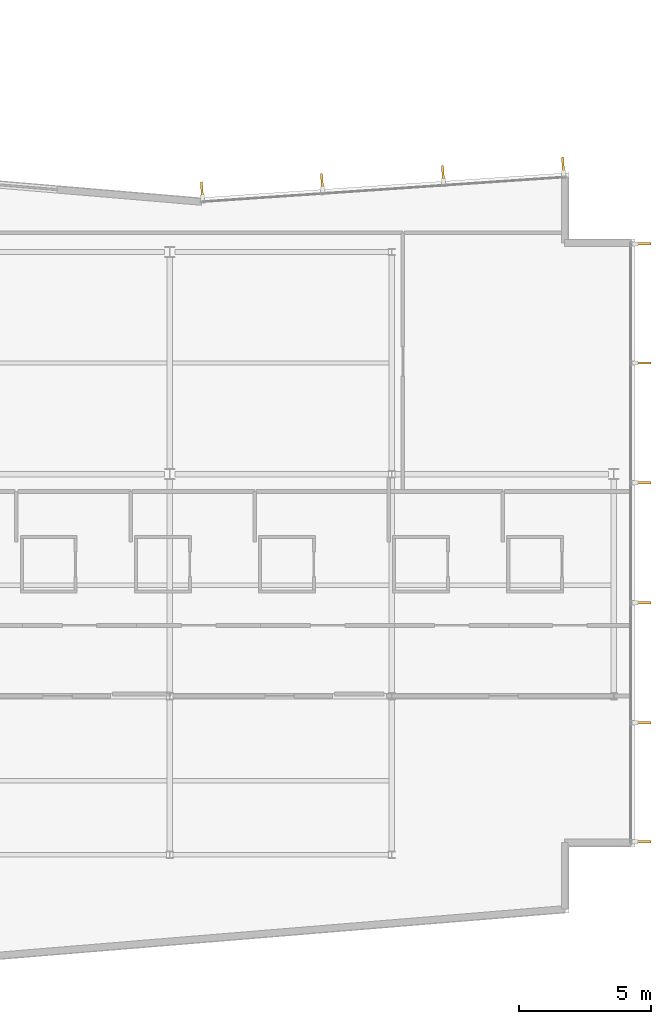
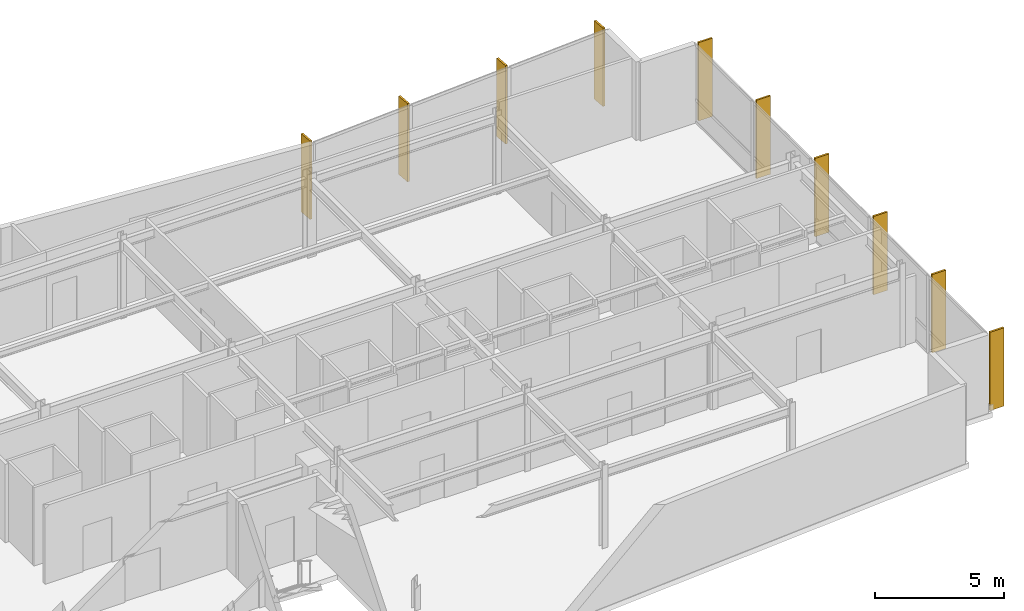
# One storey, part 16 of 17: 10 shading devices.
"""IFC4 building model written with IfcOpenShell, lengths in metres."""

import ifcopenshell
import ifcopenshell.guid

model = None  # the IFC model being written
_history = None  # IfcOwnerHistory: only IFC2X3 demands one
_inside = {}  # id of a spatial element -> (the spatial element, [elements in it])
_under = {}  # id of a project, library or spatial element -> (it, [spatial elements below it])
_declared = {}  # id of a project -> (the project, [libraries it declares])
_typed = {}  # id of a type object -> (the type object, [elements of that type])
_made_of = {}  # id of a material, layer set ... -> (it, [elements and type objects made of it])


def new_model(schema):
    """Start an empty IFC model of exactly this schema.

    Asked for "IFC4X3", IfcOpenShell would pick the latest addendum, in which some entities
    have other attributes; the version numbers below select the first issue.
    IFC2X3 requires an IfcOwnerHistory on every rooted entity: one is made here for all.
    """
    global model, _history
    if schema == "IFC4X3":
        model = ifcopenshell.file(schema_version=(4, 3, 0, 0))
    else:
        model = ifcopenshell.file(schema=schema)
    _inside.clear()
    _under.clear()
    _declared.clear()
    _typed.clear()
    _made_of.clear()
    _history = None
    if model.schema == "IFC2X3":
        org = make("IfcOrganization", Name="unknown")
        user = make(
            "IfcPersonAndOrganization",
            ThePerson=make("IfcPerson", FamilyName="unknown"),
            TheOrganization=org,
        )
        app = make(
            "IfcApplication",
            ApplicationDeveloper=org,
            Version="unknown",
            ApplicationFullName="unknown",
            ApplicationIdentifier="unknown",
        )
        _history = make(
            "IfcOwnerHistory",
            OwningUser=user,
            OwningApplication=app,
            ChangeAction="ADDED",
            CreationDate=0,
        )
    return model


def make(cls, **values):
    """One entity of the class cls with the attributes given. An attribute that is None is left unset."""
    return model.create_entity(
        cls, **{name: value for name, value in values.items() if value is not None}
    )


def rooted(cls, **values):
    """An entity with a GlobalId (a new one), such as an element, a storey or a relation."""
    return make(cls, GlobalId=ifcopenshell.guid.new(), OwnerHistory=_history, **values)


def si_unit(unit_type, name, prefix=None):
    """IfcSIUnit, for example si_unit("LENGTHUNIT", "METRE", prefix="MILLI")."""
    return make("IfcSIUnit", UnitType=unit_type, Prefix=prefix, Name=name)


def assignment(units):
    """IfcUnitAssignment: the units of a project."""
    return None if units is None else make("IfcUnitAssignment", Units=units)


def point(xyz):
    """IfcCartesianPoint."""
    return None if xyz is None else make("IfcCartesianPoint", Coordinates=xyz)


def direction(xyz):
    """IfcDirection."""
    return None if xyz is None else make("IfcDirection", DirectionRatios=xyz)


def frame(location, z_axis=None, x_axis=None):
    """IfcAxis2Placement3D, a coordinate frame: its origin and axes. An axis left out is left unset."""
    return make(
        "IfcAxis2Placement3D",
        Location=point(location),
        Axis=direction(z_axis),
        RefDirection=direction(x_axis),
    )


def frame_2d(location, x_axis=None):
    """IfcAxis2Placement2D, a coordinate frame in the plane: its origin and x axis."""
    return make(
        "IfcAxis2Placement2D", Location=point(location), RefDirection=direction(x_axis)
    )


def origin():
    """The frame at (0, 0, 0) with its axes left unset."""
    return frame((0.0, 0.0, 0.0))


def origin_2d():
    """The frame at (0, 0) in the plane with its x axis left unset."""
    return frame_2d((0.0, 0.0))


def place(relative_to, where):
    """IfcLocalPlacement: puts the frame where relative to a parent placement (None: the world)."""
    return make(
        "IfcLocalPlacement", PlacementRelTo=relative_to, RelativePlacement=where
    )


def context(
    kind, dimensions, precision=None, world=None, true_north=None, identifier=None
):
    """IfcGeometricRepresentationContext, for example the 3D "Model" context."""
    return make(
        "IfcGeometricRepresentationContext",
        ContextIdentifier=identifier,
        ContextType=kind,
        CoordinateSpaceDimension=dimensions,
        Precision=precision,
        WorldCoordinateSystem=world,
        TrueNorth=true_north,
    )


def subcontext(parent, identifier, kind, view, scale=None):
    """IfcGeometricRepresentationSubContext, for example "Body" below "Model"."""
    return make(
        "IfcGeometricRepresentationSubContext",
        ContextIdentifier=identifier,
        ContextType=kind,
        ParentContext=parent,
        TargetScale=scale,
        TargetView=view,
    )


def project(units=None, contexts=None):
    """IfcProject with its units and contexts."""
    return rooted(
        "IfcProject",
        Name="project",
        RepresentationContexts=contexts,
        UnitsInContext=assignment(units),
    )


def spatial(cls, under=None, at=None, **own):
    """A site, building, storey or space (cls), placed at a placement, below another one or the project."""
    s = rooted(cls, ObjectPlacement=at, **own)
    if under is not None:
        _under.setdefault(under.id(), (under, []))[1].append(s)
    return s


def profile(cls, at=None, kind="AREA", **sizes):
    """A parametric profile (cls). Its sizes go by their IFC names, for example OverallWidth=200.0."""
    return make(cls, ProfileType=kind, Position=at, **sizes)


def rectangle(**sizes):
    """IfcRectangleProfileDef."""
    return profile("IfcRectangleProfileDef", **sizes)


def extrude(swept, where, along, depth):
    """IfcExtrudedAreaSolid: the profile swept, set in the frame where, extruded along a direction by depth."""
    return make(
        "IfcExtrudedAreaSolid",
        SweptArea=swept,
        Position=where,
        ExtrudedDirection=direction(along),
        Depth=depth,
    )


def shape(context_of_items, identifier, shape_type, items):
    """IfcShapeRepresentation: the items that make up one representation, for example the "Body"."""
    return make(
        "IfcShapeRepresentation",
        ContextOfItems=context_of_items,
        RepresentationIdentifier=identifier,
        RepresentationType=shape_type,
        Items=items,
    )


def material(Name=None, Category=None):
    """IfcMaterial."""
    return make("IfcMaterial", Name=Name, Category=Category)


def layer(
    of_material, thickness, ventilated=None, Name=None, Category=None, Priority=None
):
    """IfcMaterialLayer: one layer of a wall or slab, of a material (None: an air gap)."""
    return make(
        "IfcMaterialLayer",
        Material=of_material,
        LayerThickness=thickness,
        IsVentilated=ventilated,
        Name=Name,
        Category=Category,
        Priority=Priority,
    )


def layer_set(layers, Name=None):
    """IfcMaterialLayerSet."""
    return make("IfcMaterialLayerSet", MaterialLayers=layers, LayerSetName=Name)


def made_of(thing, what):
    """Note that an element or type object is made of a material, layer set ...; save() writes the relation."""
    if what is not None:
        _made_of.setdefault(what.id(), (what, []))[1].append(thing)
    return thing


def type_object(cls, material=None, **own):
    """A type object (cls), such as IfcWallType, which elements share."""
    return made_of(rooted(cls, **own), material)


def element(
    cls,
    number,
    at=None,
    inside=None,
    cuts=None,
    type_object=None,
    material=None,
    context=None,
    identifier="Body",
    shape_type=None,
    held_by="IfcProductDefinitionShape",
    body=None,
    shapes=None,
    **own,
):
    """One element of the class cls, such as IfcWall. Its Tag is "e" and its number.

    at: its placement. inside: the storey or other place that contains it. cuts: it is an
    opening in that element (IfcRelVoidsElement). A single representation is given by context,
    identifier, shape_type and body (its items); several are given by shapes. held_by: the class
    of the entity that holds the representations. save() writes the other relations.
    """
    e = rooted(cls, Tag="e%d" % number, ObjectPlacement=at, **own)
    if body is not None:
        shapes = [shape(context, identifier, shape_type, body)]
    if shapes is not None:
        e.Representation = make(held_by, Representations=shapes)
    if inside is not None:
        _inside.setdefault(inside.id(), (inside, []))[1].append(e)
    if cuts is not None:
        rooted(
            "IfcRelVoidsElement", RelatingBuildingElement=cuts, RelatedOpeningElement=e
        )
    if type_object is not None:
        _typed.setdefault(type_object.id(), (type_object, []))[1].append(e)
    return made_of(e, material)


def aggregate(whole, parts):
    """IfcRelAggregates: a whole, such as a stair, and the parts it consists of."""
    return rooted("IfcRelAggregates", RelatingObject=whole, RelatedObjects=parts)


def save(model, path):
    """Write the relations noted so far, then the file.

    IfcRelAggregates (storeys below a building ...), IfcRelContainedInSpatialStructure (elements
    in a storey), IfcRelDefinesByType, IfcRelAssociatesMaterial and IfcRelDeclares: one each for
    every whole, place, type object, material and project.
    """
    for whole, parts in _under.values():
        aggregate(whole, parts)
    for where, things in _inside.values():
        rooted(
            "IfcRelContainedInSpatialStructure",
            RelatedElements=things,
            RelatingStructure=where,
        )
    for kind, things in _typed.values():
        rooted("IfcRelDefinesByType", RelatedObjects=things, RelatingType=kind)
    for what, things in _made_of.values():
        rooted("IfcRelAssociatesMaterial", RelatedObjects=things, RelatingMaterial=what)
    for by, libraries in _declared.values():
        rooted("IfcRelDeclares", RelatingContext=by, RelatedDefinitions=libraries)
    model.write(path)


model = new_model("IFC4")

# Units and contexts
model_context = context("Model", 3, precision=1e-05, world=origin(), true_north=direction((0.0, 1.0)))
body_context = subcontext(model_context, "Body", "Model", "MODEL_VIEW")
ifc_project = project(units=[si_unit("LENGTHUNIT", "METRE"), si_unit("AREAUNIT", "SQUARE_METRE"), si_unit("VOLUMEUNIT", "CUBIC_METRE"), si_unit("PLANEANGLEUNIT", "RADIAN"), si_unit("MASSUNIT", "GRAM", prefix="KILO")], contexts=[model_context])

# Site, building, storey
site_placement = place(None, origin())
site = spatial("IfcSite", under=ifc_project, at=site_placement, CompositionType="ELEMENT")
building_placement = place(site_placement, origin())
building = spatial("IfcBuilding", under=site, at=building_placement, Name="Varnakote Quay Hospital", CompositionType="ELEMENT")
storey_placement = place(building_placement, frame((0.0, 0.0, 227.64990234375)))
storey = spatial("IfcBuildingStorey", under=building, at=storey_placement, Name="L56", CompositionType="ELEMENT", Elevation=227.64990234375)

# Shading devices
ifc_material = material(Name="Anodised aluminium 6063-T6 Bronze", Category="aluminium")
ifc_layer = layer(ifc_material, 0.0849609375)
ifc_layer_set = layer_set([ifc_layer], Name="Anodised aluminium 6063-T6 Bronze")
shading_device_type = type_object("IfcShadingDeviceType", Name="SHD-BRONZE-FIN-620", PredefinedType="USERDEFINED", material=ifc_layer_set)
for number, where, z_axis, x_axis, name in (
    (1, (51.489990234375, 6.492431640625, 0.0), (0.0, 0.0, 1.0), (-1.0, 0.0, 0.0), "L56 Anodised Bronze Vertical Shading FIN"),
    (2, (51.489990234375, 10.99609375, 0.0), (0.0, 0.0, 1.0), (-1.0, 0.0, 0.0), "L56 Anodised Bronze Vertical Shading FIN"),
    (3, (51.489990234375, 15.531982421875, 0.0), (0.0, 0.0, 1.0), (-1.0, 0.0, 0.0), "L56 Anodised Bronze Vertical Shading FIN"),
    (4, (51.489990234375, 20.068115234375, 0.0), (0.0, 0.0, 1.0), (-1.0, 0.0, 0.0), "L56 Anodised Bronze Vertical Shading FIN"),
    (5, (51.489990234375, 24.60400390625, 0.0), (0.0, 0.0, 1.0), (-1.0, 0.0, 0.0), "L56 Anodised Bronze Vertical Shading FIN"),
    (6, (51.489990234375, 29.107421875, 0.0), (0.0, 0.0, 1.0), (-1.0, 0.0, 0.0), "L56 Anodised Bronze Vertical Shading FIN"),
    (7, (48.47705078125, 32.07568359375, 0.0), (0.0, 0.0, 1.0), (0.067841160875, -0.997696134548, 0.0), "L56 Anodised Bronze Vertical Shading FIN"),
    (8, (43.934326171875, 31.7666015625, 0.0), (0.0, 0.0, 1.0), (0.067841160875, -0.997696134548, 0.0), "L56 Anodised Bronze Vertical Shading FIN"),
    (9, (39.359375, 31.45556640625, 0.0), (0.0, 0.0, 1.0), (0.067841160875, -0.997696134548, 0.0), "L56 Anodised Bronze Vertical Shading FIN"),
    (10, (34.816650390625, 31.146728515625, 0.0), (0.0, 0.0, 1.0), (0.067841160875, -0.997696134548, 0.0), "L56 Anodised Bronze Vertical Shading FIN"),
):
    element("IfcShadingDevice", number, at=place(storey_placement, frame(where, z_axis=z_axis, x_axis=x_axis)), inside=storey, type_object=shading_device_type, Name=name, ObjectType="FIN", PredefinedType="USERDEFINED", context=body_context, shape_type="SweptSolid", body=[
        extrude(rectangle(XDim=0.6201171875, YDim=0.0849609375, at=origin_2d()), origin(), (0.0, 0.0, 1.0), 3.7099609375),
    ])

save(model, "model.ifc")
